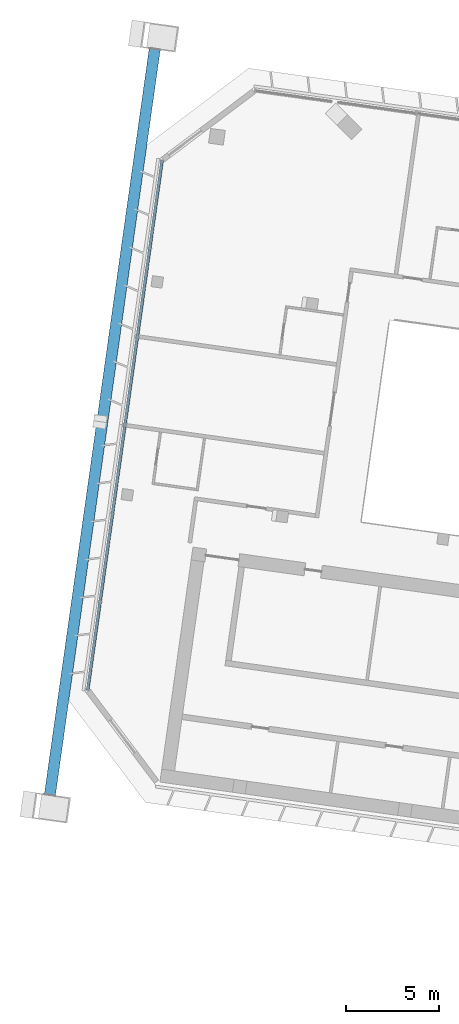
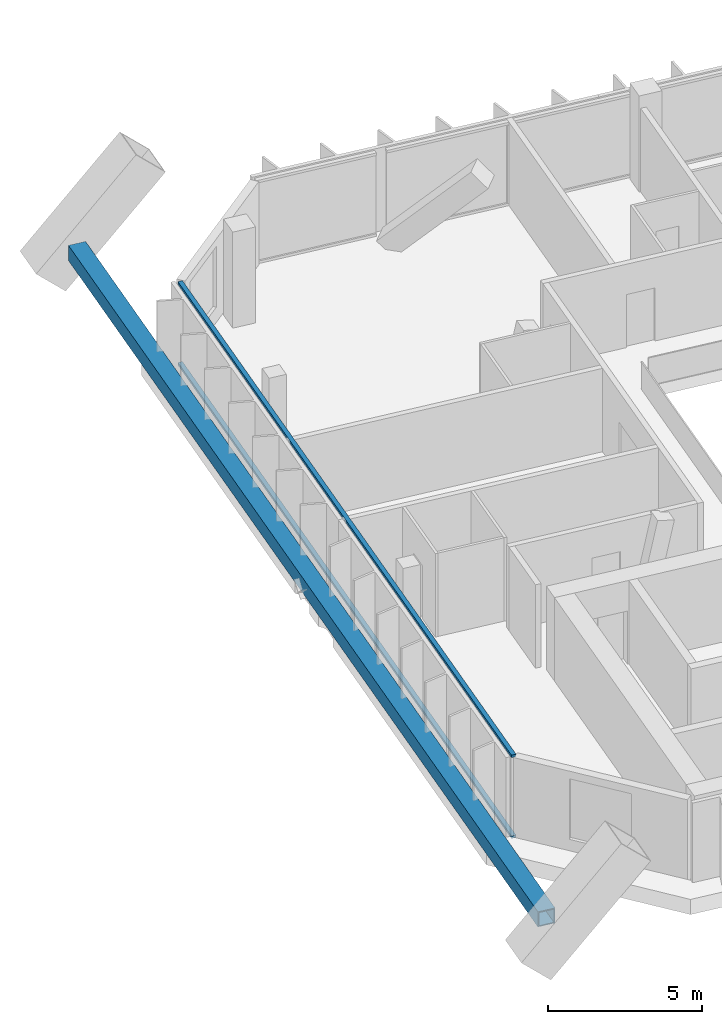
# One storey, part 3 of 29: 3 members, 1 element without a shape of its own.
"""IFC4 building model written with IfcOpenShell, lengths in metres."""

import ifcopenshell
import ifcopenshell.guid

model = None  # the IFC model being written
_history = None  # IfcOwnerHistory: only IFC2X3 demands one
_inside = {}  # id of a spatial element -> (the spatial element, [elements in it])
_under = {}  # id of a project, library or spatial element -> (it, [spatial elements below it])
_declared = {}  # id of a project -> (the project, [libraries it declares])
_typed = {}  # id of a type object -> (the type object, [elements of that type])
_made_of = {}  # id of a material, layer set ... -> (it, [elements and type objects made of it])


def new_model(schema):
    """Start an empty IFC model of exactly this schema.

    Asked for "IFC4X3", IfcOpenShell would pick the latest addendum, in which some entities
    have other attributes; the version numbers below select the first issue.
    IFC2X3 requires an IfcOwnerHistory on every rooted entity: one is made here for all.
    """
    global model, _history
    if schema == "IFC4X3":
        model = ifcopenshell.file(schema_version=(4, 3, 0, 0))
    else:
        model = ifcopenshell.file(schema=schema)
    _inside.clear()
    _under.clear()
    _declared.clear()
    _typed.clear()
    _made_of.clear()
    _history = None
    if model.schema == "IFC2X3":
        org = make("IfcOrganization", Name="unknown")
        user = make(
            "IfcPersonAndOrganization",
            ThePerson=make("IfcPerson", FamilyName="unknown"),
            TheOrganization=org,
        )
        app = make(
            "IfcApplication",
            ApplicationDeveloper=org,
            Version="unknown",
            ApplicationFullName="unknown",
            ApplicationIdentifier="unknown",
        )
        _history = make(
            "IfcOwnerHistory",
            OwningUser=user,
            OwningApplication=app,
            ChangeAction="ADDED",
            CreationDate=0,
        )
    return model


def make(cls, **values):
    """One entity of the class cls with the attributes given. An attribute that is None is left unset."""
    return model.create_entity(
        cls, **{name: value for name, value in values.items() if value is not None}
    )


def rooted(cls, **values):
    """An entity with a GlobalId (a new one), such as an element, a storey or a relation."""
    return make(cls, GlobalId=ifcopenshell.guid.new(), OwnerHistory=_history, **values)


def si_unit(unit_type, name, prefix=None):
    """IfcSIUnit, for example si_unit("LENGTHUNIT", "METRE", prefix="MILLI")."""
    return make("IfcSIUnit", UnitType=unit_type, Prefix=prefix, Name=name)


def assignment(units):
    """IfcUnitAssignment: the units of a project."""
    return None if units is None else make("IfcUnitAssignment", Units=units)


def point(xyz):
    """IfcCartesianPoint."""
    return None if xyz is None else make("IfcCartesianPoint", Coordinates=xyz)


def direction(xyz):
    """IfcDirection."""
    return None if xyz is None else make("IfcDirection", DirectionRatios=xyz)


def frame(location, z_axis=None, x_axis=None):
    """IfcAxis2Placement3D, a coordinate frame: its origin and axes. An axis left out is left unset."""
    return make(
        "IfcAxis2Placement3D",
        Location=point(location),
        Axis=direction(z_axis),
        RefDirection=direction(x_axis),
    )


def frame_2d(location, x_axis=None):
    """IfcAxis2Placement2D, a coordinate frame in the plane: its origin and x axis."""
    return make(
        "IfcAxis2Placement2D", Location=point(location), RefDirection=direction(x_axis)
    )


def origin():
    """The frame at (0, 0, 0) with its axes left unset."""
    return frame((0.0, 0.0, 0.0))


def origin_2d():
    """The frame at (0, 0) in the plane with its x axis left unset."""
    return frame_2d((0.0, 0.0))


def place(relative_to, where):
    """IfcLocalPlacement: puts the frame where relative to a parent placement (None: the world)."""
    return make(
        "IfcLocalPlacement", PlacementRelTo=relative_to, RelativePlacement=where
    )


def context(
    kind, dimensions, precision=None, world=None, true_north=None, identifier=None
):
    """IfcGeometricRepresentationContext, for example the 3D "Model" context."""
    return make(
        "IfcGeometricRepresentationContext",
        ContextIdentifier=identifier,
        ContextType=kind,
        CoordinateSpaceDimension=dimensions,
        Precision=precision,
        WorldCoordinateSystem=world,
        TrueNorth=true_north,
    )


def subcontext(parent, identifier, kind, view, scale=None):
    """IfcGeometricRepresentationSubContext, for example "Body" below "Model"."""
    return make(
        "IfcGeometricRepresentationSubContext",
        ContextIdentifier=identifier,
        ContextType=kind,
        ParentContext=parent,
        TargetScale=scale,
        TargetView=view,
    )


def project(units=None, contexts=None):
    """IfcProject with its units and contexts."""
    return rooted(
        "IfcProject",
        Name="project",
        RepresentationContexts=contexts,
        UnitsInContext=assignment(units),
    )


def spatial(cls, under=None, at=None, **own):
    """A site, building, storey or space (cls), placed at a placement, below another one or the project."""
    s = rooted(cls, ObjectPlacement=at, **own)
    if under is not None:
        _under.setdefault(under.id(), (under, []))[1].append(s)
    return s


def profile(cls, at=None, kind="AREA", **sizes):
    """A parametric profile (cls). Its sizes go by their IFC names, for example OverallWidth=200.0."""
    return make(cls, ProfileType=kind, Position=at, **sizes)


def rectangle(**sizes):
    """IfcRectangleProfileDef."""
    return profile("IfcRectangleProfileDef", **sizes)


def hollow_rectangle(**sizes):
    """IfcRectangleHollowProfileDef."""
    return profile("IfcRectangleHollowProfileDef", **sizes)


def extrude(swept, where, along, depth):
    """IfcExtrudedAreaSolid: the profile swept, set in the frame where, extruded along a direction by depth."""
    return make(
        "IfcExtrudedAreaSolid",
        SweptArea=swept,
        Position=where,
        ExtrudedDirection=direction(along),
        Depth=depth,
    )


def shape(context_of_items, identifier, shape_type, items):
    """IfcShapeRepresentation: the items that make up one representation, for example the "Body"."""
    return make(
        "IfcShapeRepresentation",
        ContextOfItems=context_of_items,
        RepresentationIdentifier=identifier,
        RepresentationType=shape_type,
        Items=items,
    )


def material(Name=None, Category=None):
    """IfcMaterial."""
    return make("IfcMaterial", Name=Name, Category=Category)


def material_profile(
    of_material, cross_section, Name=None, Category=None, Priority=None
):
    """IfcMaterialProfile: a cross section and its material."""
    return make(
        "IfcMaterialProfile",
        Name=Name,
        Material=of_material,
        Profile=cross_section,
        Priority=Priority,
        Category=Category,
    )


def profile_set(profiles, Name=None, composite=None):
    """IfcMaterialProfileSet."""
    return make(
        "IfcMaterialProfileSet",
        Name=Name,
        MaterialProfiles=profiles,
        CompositeProfile=composite,
    )


def made_of(thing, what):
    """Note that an element or type object is made of a material, layer set ...; save() writes the relation."""
    if what is not None:
        _made_of.setdefault(what.id(), (what, []))[1].append(thing)
    return thing


def type_object(cls, material=None, **own):
    """A type object (cls), such as IfcWallType, which elements share."""
    return made_of(rooted(cls, **own), material)


def element(
    cls,
    number,
    at=None,
    inside=None,
    cuts=None,
    type_object=None,
    material=None,
    context=None,
    identifier="Body",
    shape_type=None,
    held_by="IfcProductDefinitionShape",
    body=None,
    shapes=None,
    **own,
):
    """One element of the class cls, such as IfcWall. Its Tag is "e" and its number.

    at: its placement. inside: the storey or other place that contains it. cuts: it is an
    opening in that element (IfcRelVoidsElement). A single representation is given by context,
    identifier, shape_type and body (its items); several are given by shapes. held_by: the class
    of the entity that holds the representations. save() writes the other relations.
    """
    e = rooted(cls, Tag="e%d" % number, ObjectPlacement=at, **own)
    if body is not None:
        shapes = [shape(context, identifier, shape_type, body)]
    if shapes is not None:
        e.Representation = make(held_by, Representations=shapes)
    if inside is not None:
        _inside.setdefault(inside.id(), (inside, []))[1].append(e)
    if cuts is not None:
        rooted(
            "IfcRelVoidsElement", RelatingBuildingElement=cuts, RelatedOpeningElement=e
        )
    if type_object is not None:
        _typed.setdefault(type_object.id(), (type_object, []))[1].append(e)
    return made_of(e, material)


def aggregate(whole, parts):
    """IfcRelAggregates: a whole, such as a stair, and the parts it consists of."""
    return rooted("IfcRelAggregates", RelatingObject=whole, RelatedObjects=parts)


def save(model, path):
    """Write the relations noted so far, then the file.

    IfcRelAggregates (storeys below a building ...), IfcRelContainedInSpatialStructure (elements
    in a storey), IfcRelDefinesByType, IfcRelAssociatesMaterial and IfcRelDeclares: one each for
    every whole, place, type object, material and project.
    """
    for whole, parts in _under.values():
        aggregate(whole, parts)
    for where, things in _inside.values():
        rooted(
            "IfcRelContainedInSpatialStructure",
            RelatedElements=things,
            RelatingStructure=where,
        )
    for kind, things in _typed.values():
        rooted("IfcRelDefinesByType", RelatedObjects=things, RelatingType=kind)
    for what, things in _made_of.values():
        rooted("IfcRelAssociatesMaterial", RelatedObjects=things, RelatingMaterial=what)
    for by, libraries in _declared.values():
        rooted("IfcRelDeclares", RelatingContext=by, RelatedDefinitions=libraries)
    model.write(path)


model = new_model("IFC4")

# Units and contexts
model_context = context("Model", 3, precision=1e-05, world=origin(), true_north=direction((0.0, 1.0)))
body_context = subcontext(model_context, "Body", "Model", "MODEL_VIEW")
ifc_project = project(units=[si_unit("LENGTHUNIT", "METRE"), si_unit("AREAUNIT", "SQUARE_METRE"), si_unit("VOLUMEUNIT", "CUBIC_METRE"), si_unit("PLANEANGLEUNIT", "RADIAN"), si_unit("MASSUNIT", "GRAM", prefix="KILO")], contexts=[model_context])

# Site, building, storey
site_placement = place(None, origin())
site = spatial("IfcSite", under=ifc_project, at=site_placement, CompositionType="ELEMENT")
building_placement = place(site_placement, origin())
building = spatial("IfcBuilding", under=site, at=building_placement, Name="Mirante Cascada Hotel Towers", CompositionType="ELEMENT")
storey_placement = place(building_placement, frame((0.0, 0.0, 206.8)))
storey = spatial("IfcBuildingStorey", under=building, at=storey_placement, Name="L49", CompositionType="ELEMENT", Elevation=206.8)

# Member
ifc_material_1 = material(Name="Steel ASTM A572 Gr 50", Category="steel")
ifc_material_profile_1 = material_profile(ifc_material_1, hollow_rectangle(XDim=0.6, YDim=0.6, WallThickness=0.04, at=origin_2d()), Name="Box chord 600x600x40 ASTM A572 Gr 50")
ifc_profile_set_1 = profile_set([ifc_material_profile_1], Name="Steel ASTM A572 Gr 50")
member_type_1 = type_object("IfcMemberType", Name="Box chord 600x600x40 ASTM A572 Gr 50", PredefinedType="CHORD", material=ifc_profile_set_1)
member_1_placement = place(storey_placement, frame((-87.3736, -14.4564, 1.0), z_axis=(0.1391732, 0.9902681, 0.0), x_axis=(-0.9902681, 0.1391732, 0.0)))
element("IfcMember", 1, at=member_1_placement, inside=storey, type_object=member_type_1, Name="exochord T1 L49 1", PredefinedType="CHORD", context=body_context, shape_type="SweptSolid", body=[
    extrude(hollow_rectangle(XDim=0.6, YDim=0.6, WallThickness=0.04, at=origin_2d()), origin(), (0.0, 0.0, 1.0), 40.64),
])

# Curtain wall, members
ifc_material_2 = material(Name="Aluminium mullion and transom frame with clear laminated glass", Category="aluminium")
curtain_wall_type = type_object("IfcCurtainWallType", Name="End ribbon curtain wall ECW2", PredefinedType="NOTDEFINED", material=ifc_material_2)
curtain_wall_placement = place(storey_placement, origin())
curtain_wall = element("IfcCurtainWall", 2, at=curtain_wall_placement, inside=storey, type_object=curtain_wall_type, Name="Outer end wall T1 L49", PredefinedType="NOTDEFINED")
ifc_material_3 = material(Name="Anodised aluminium extrusion", Category="aluminium")
ifc_material_profile_2 = material_profile(ifc_material_3, rectangle(XDim=0.16, YDim=0.1, at=origin_2d()), Name="ECW2 TRANSOM 100x160")
ifc_profile_set_2 = profile_set([ifc_material_profile_2], Name="Anodised aluminium extrusion")
member_type_2 = type_object("IfcMemberType", Name="ECW2 transom 100x160", PredefinedType="USERDEFINED", material=ifc_profile_set_2)
member_2_placement = place(storey_placement, frame((-85.3353, -8.8029, 0.05), z_axis=(0.1391723, 0.9902682, 0.0), x_axis=(-0.9902682, 0.1391723, 0.0)))
member_2 = element("IfcMember", 3, at=member_2_placement, type_object=member_type_2, Name="ECW2 sill transom", ObjectType="TRANSOM", PredefinedType="USERDEFINED", context=body_context, shape_type="SweptSolid", body=[
    extrude(rectangle(XDim=0.16, YDim=0.1, at=origin_2d()), origin(), (0.0, 0.0, 1.0), 28.8757),
])
member_3_placement = place(storey_placement, frame((-85.3353, -8.8029, 3.25), z_axis=(0.1391723, 0.9902682, 0.0), x_axis=(-0.9902682, 0.1391723, 0.0)))
member_3 = element("IfcMember", 4, at=member_3_placement, type_object=member_type_2, Name="ECW2 head transom", ObjectType="TRANSOM", PredefinedType="USERDEFINED", context=body_context, shape_type="SweptSolid", body=[
    extrude(rectangle(XDim=0.16, YDim=0.1, at=origin_2d()), origin(), (0.0, 0.0, 1.0), 28.8757),
])
aggregate(curtain_wall, [member_2, member_3])

save(model, "model.ifc")
